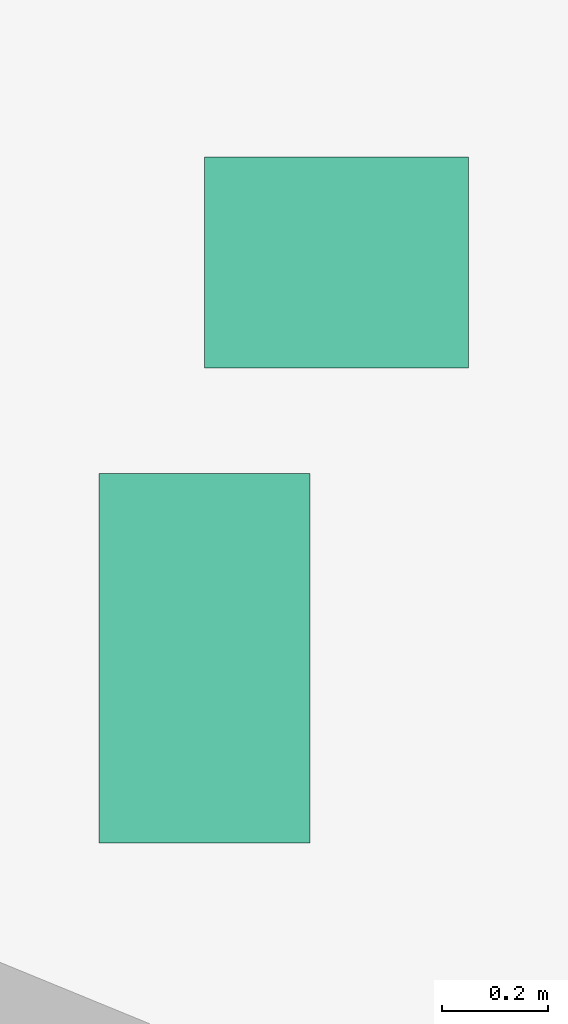
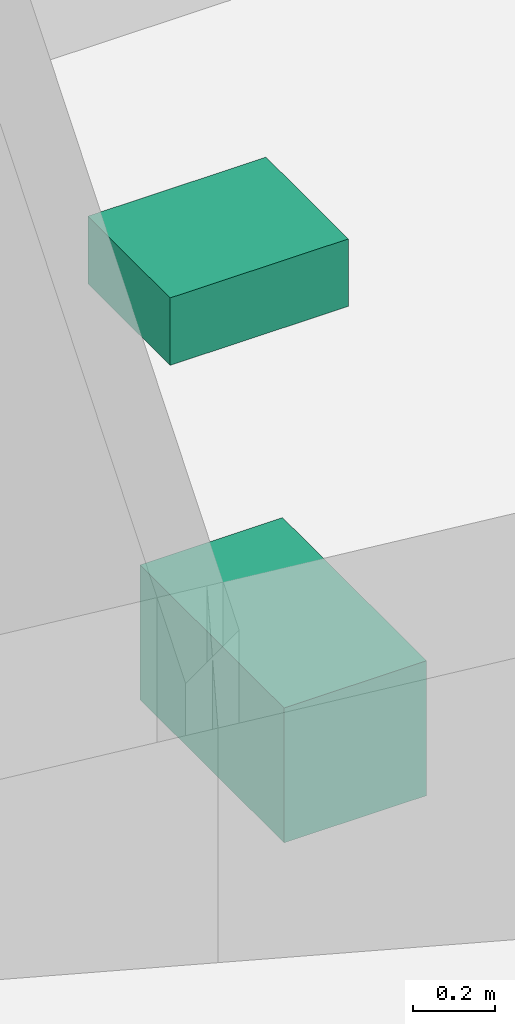
# One storey, part 18 of 19: 2 sanitary terminals.
"""IFC4 building model written with IfcOpenShell, lengths in metres."""

from ifc_helpers import new_model, si_unit, direction, frame, origin, origin_2d, place, context, subcontext, project, spatial, rectangle, extrude, material, type_object, element, save


model = new_model("IFC4")

# Units and contexts
model_context = context("Model", 3, precision=1e-05, world=origin(), true_north=direction((0.0, 1.0)))
body_context = subcontext(model_context, "Body", "Model", "MODEL_VIEW")
ifc_project = project(units=[si_unit("LENGTHUNIT", "METRE"), si_unit("AREAUNIT", "SQUARE_METRE"), si_unit("VOLUMEUNIT", "CUBIC_METRE"), si_unit("PLANEANGLEUNIT", "RADIAN"), si_unit("MASSUNIT", "GRAM", prefix="KILO")], contexts=[model_context])

# Site, building, storey
site_placement = place(None, origin())
site = spatial("IfcSite", under=ifc_project, at=site_placement, CompositionType="ELEMENT")
building_placement = place(site_placement, origin())
building = spatial("IfcBuilding", under=site, at=building_placement, Name="Ostrand Prow Hotel Tower", CompositionType="ELEMENT")
storey_placement = place(building_placement, frame((0.0, 0.0, 170.89990234375)))
storey = spatial("IfcBuildingStorey", under=building, at=storey_placement, Name="L42", CompositionType="ELEMENT", Elevation=170.89990234375)

# Sanitary terminals
ifc_material_1 = material(Name="Vitreous china")
sanitary_terminal_type_1 = type_object("IfcSanitaryTerminalType", Name="WC pan 360x700", PredefinedType="TOILETPAN", material=ifc_material_1)
sanitary_terminal_1_placement = place(storey_placement, frame((34.9482421875, -6.016357421875, 0.000244140625), z_axis=(0.0, 0.0, 1.0), x_axis=(1.0, 0.0, 0.0)))
element("IfcSanitaryTerminal", 1, at=sanitary_terminal_1_placement, inside=storey, type_object=sanitary_terminal_type_1, Name="PAN", PredefinedType="TOILETPAN", context=body_context, shape_type="SweptSolid", body=[
    extrude(rectangle(XDim=0.39990234375, YDim=0.699951171875, at=origin_2d()), origin(), (0.0, 0.0, 1.0), 0.39990234375),
])
ifc_material_2 = material(Name="Vitreous china")
sanitary_terminal_type_2 = type_object("IfcSanitaryTerminalType", Name="Wash hand basin 500x400", PredefinedType="WASHHANDBASIN", material=ifc_material_2)
sanitary_terminal_2_placement = place(storey_placement, frame((35.1982421875, -5.266357421875, 0.80029296875), z_axis=(0.0, 0.0, 1.0), x_axis=(1.0, 0.0, 0.0)))
element("IfcSanitaryTerminal", 2, at=sanitary_terminal_2_placement, inside=storey, type_object=sanitary_terminal_type_2, Name="WASH HAND BASIN", PredefinedType="WASHHANDBASIN", context=body_context, shape_type="SweptSolid", body=[
    extrude(rectangle(XDim=0.5, YDim=0.39990234375, at=origin_2d()), origin(), (0.0, 0.0, 1.0), 0.199951171875),
])

save(model, "model.ifc")
